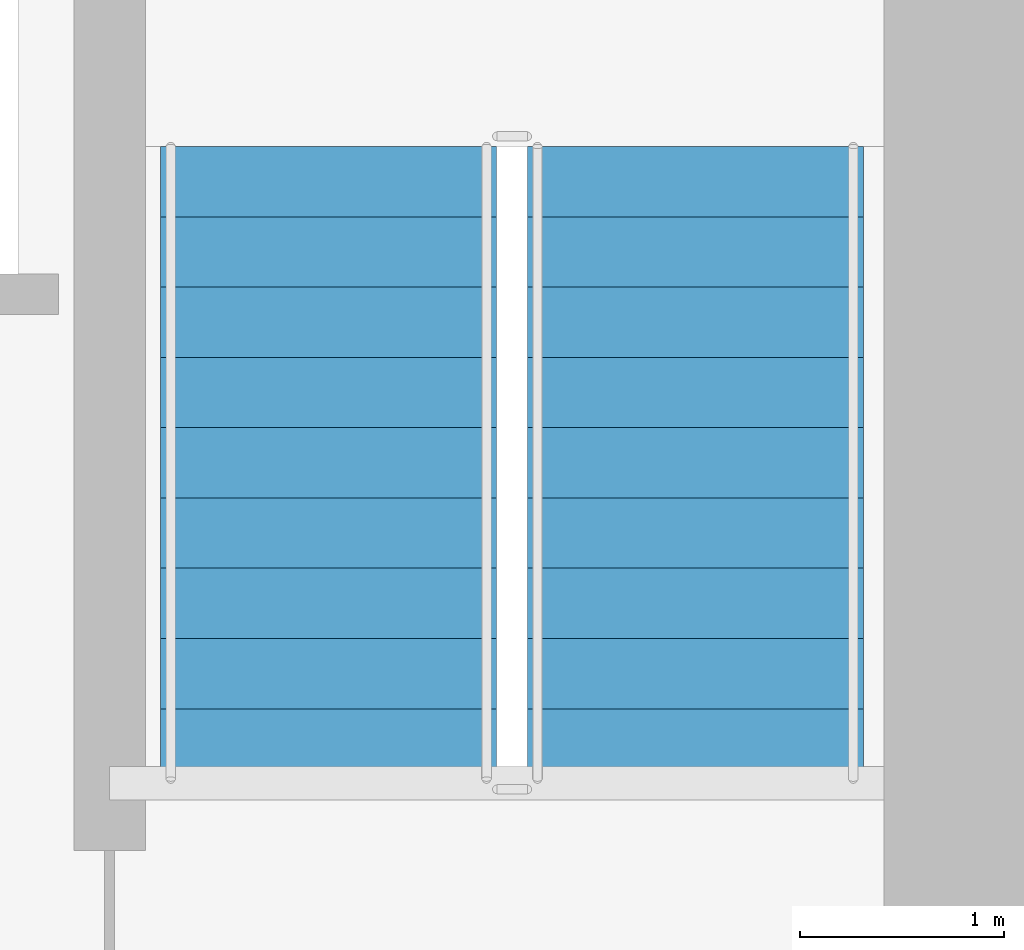
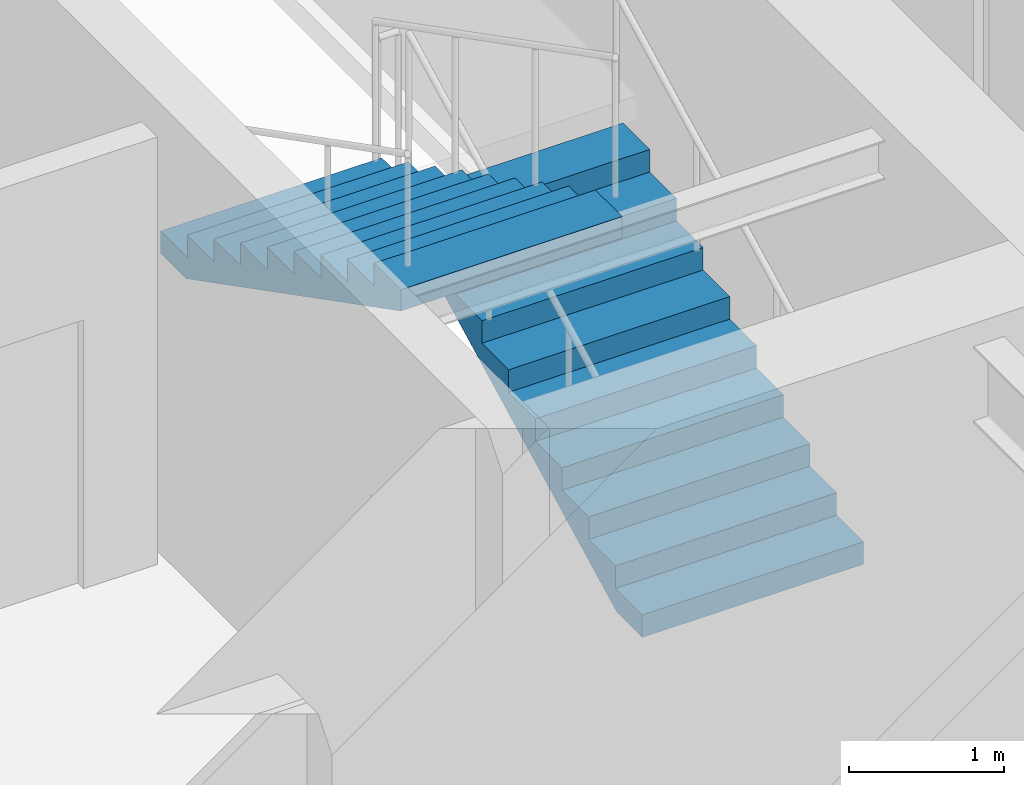
# One storey, part 23 of 28: 2 stair flights, 1 element without a shape of its own.
"""IFC4 building model written with IfcOpenShell, lengths in metres."""

from ifc_helpers import new_model, si_unit, direction, frame, origin, place, context, subcontext, project, spatial, polyline, outline, extrude, material, type_object, element, aggregate, save


model = new_model("IFC4")

# Units and contexts
model_context = context("Model", 3, precision=1e-05, world=origin(), true_north=direction((0.0, 1.0)))
body_context = subcontext(model_context, "Body", "Model", "MODEL_VIEW")
ifc_project = project(units=[si_unit("LENGTHUNIT", "METRE"), si_unit("AREAUNIT", "SQUARE_METRE"), si_unit("VOLUMEUNIT", "CUBIC_METRE"), si_unit("PLANEANGLEUNIT", "RADIAN"), si_unit("MASSUNIT", "GRAM", prefix="KILO")], contexts=[model_context])

# Site, building, storey
site_placement = place(None, origin())
site = spatial("IfcSite", under=ifc_project, at=site_placement, CompositionType="ELEMENT")
building_placement = place(site_placement, origin())
building = spatial("IfcBuilding", under=site, at=building_placement, Name="Tolvann Quenvar Hotel", CompositionType="ELEMENT")
storey_placement = place(building_placement, frame((0.0, 0.0, 198.199951171875)))
storey = spatial("IfcBuildingStorey", under=building, at=storey_placement, Name="L52", CompositionType="ELEMENT", Elevation=198.199951171875)

# Stair, stair flights
ifc_material = material(Name="Concrete N40 (40 MPa)", Category="concrete")
stair_type = type_object("IfcStairType", Name="STAIR", PredefinedType="HALF_TURN_STAIR", material=ifc_material)
stair_placement = place(storey_placement, origin())
stair = element("IfcStair", 1, at=stair_placement, inside=storey, type_object=stair_type, Name="L52 ST-C2", PredefinedType="HALF_TURN_STAIR")
stair_flight_type = type_object("IfcStairFlightType", Name="STAIR_FLIGHT", PredefinedType="STRAIGHT", material=ifc_material)
stair_flight_1_placement = place(storey_placement, frame((34.574951171875, 34.0, 0.0), z_axis=(0.0, 0.0, 1.0), x_axis=(0.0, 1.0, 0.0)))
stair_flight_1 = element("IfcStairFlight", 2, at=stair_flight_1_placement, type_object=stair_flight_type, Name="ST-C2 flight 1", NumberOfRisers=10, NumberOfTreads=9, PredefinedType="STRAIGHT", RiserHeight=0.1775, TreadLength=0.345, context=body_context, shape_type="SweptSolid", body=[
    extrude(outline(polyline([(0.0, 0.0), (0.0, 0.177490234375), (0.344970703125, 0.177490234375), (0.344970703125, 0.35498046875), (0.68994140625, 0.35498046875), (0.68994140625, 0.532470703125), (1.034912109375, 0.532470703125), (1.034912109375, 0.7099609375), (1.3798828125, 0.7099609375), (1.3798828125, 0.887451171875), (1.72509765625, 0.887451171875), (1.72509765625, 1.06494140625), (2.070068359375, 1.06494140625), (2.070068359375, 1.242431640625), (2.4150390625, 1.242431640625), (2.4150390625, 1.419921875), (2.760009765625, 1.419921875), (2.760009765625, 1.597412109375), (3.10498046875, 1.597412109375), (3.10498046875, 1.77490234375), (3.10498046875, 1.428955078125), (0.32763671875, 0.0), (0.0, 0.0)])), frame((0.0, 0.824951171875, 0.0), z_axis=(0.0, -1.0, 0.0), x_axis=(1.0, 0.0, 0.0)), (0.0, 0.0, 1.0), 1.64990234375),
])
stair_flight_2_placement = place(storey_placement, frame((32.77490234375, 37.10498046875, 1.775146484375), z_axis=(0.0, 0.0, 1.0), x_axis=(0.0, -1.0, 0.0)))
stair_flight_2 = element("IfcStairFlight", 3, at=stair_flight_2_placement, type_object=stair_flight_type, Name="ST-C2 flight 2", NumberOfRisers=10, NumberOfTreads=9, PredefinedType="STRAIGHT", RiserHeight=0.1775, TreadLength=0.345, context=body_context, shape_type="SweptSolid", body=[
    extrude(outline(polyline([(0.0, 0.0), (0.0, 0.177490234375), (0.344970703125, 0.177490234375), (0.344970703125, 0.35498046875), (0.68994140625, 0.35498046875), (0.68994140625, 0.532470703125), (1.034912109375, 0.532470703125), (1.034912109375, 0.7099609375), (1.3798828125, 0.7099609375), (1.3798828125, 0.887451171875), (1.72509765625, 0.887451171875), (1.72509765625, 1.06494140625), (2.070068359375, 1.06494140625), (2.070068359375, 1.242431640625), (2.4150390625, 1.242431640625), (2.4150390625, 1.419921875), (2.760009765625, 1.419921875), (2.760009765625, 1.597412109375), (3.10498046875, 1.597412109375), (3.10498046875, 1.77490234375), (3.10498046875, 1.428955078125), (0.32763671875, 0.0), (0.0, 0.0)])), frame((0.0, 0.824951171875, 0.0), z_axis=(0.0, -1.0, 0.0), x_axis=(1.0, 0.0, 0.0)), (0.0, 0.0, 1.0), 1.64990234375),
])
aggregate(stair, [stair_flight_1, stair_flight_2])

save(model, "model.ifc")
